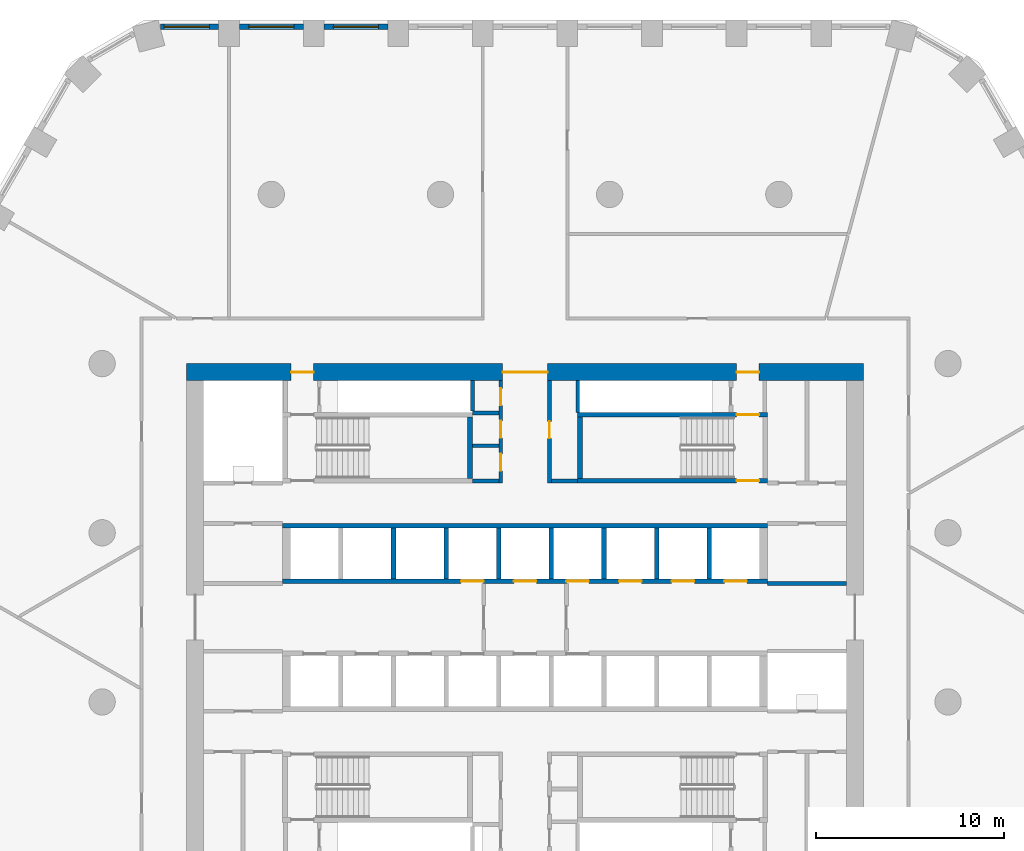
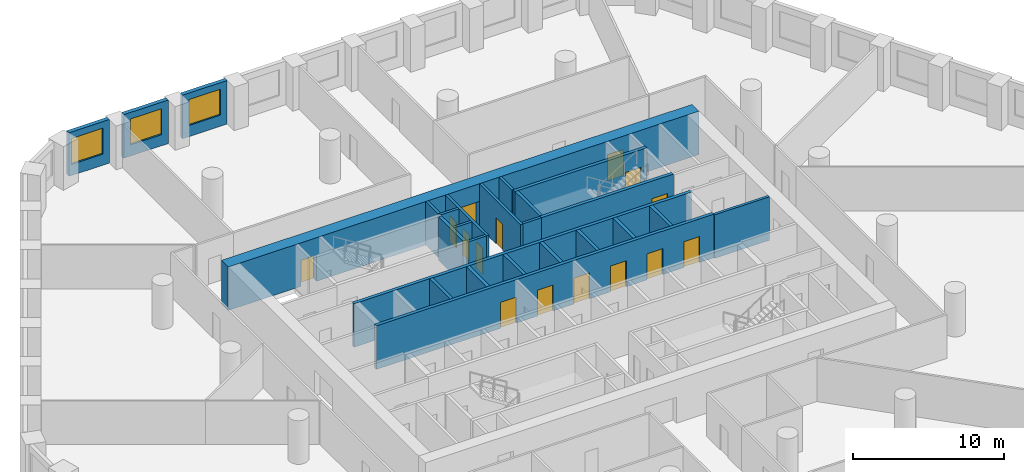
# One storey, part 6 of 10: 26 walls, 15 doors, 3 windows, 18 openings.
"""IFC4 building model written with IfcOpenShell, lengths in metres."""

from ifc_helpers import new_model, si_unit, direction, frame, frame_2d, origin, place, context, subcontext, project, spatial, polyline, rectangle, outline, extrude, material, layer, layer_set, type_object, element, fill, save


model = new_model("IFC4")

# Units and contexts
model_context = context("Model", 3, precision=1e-05, world=origin(), true_north=direction((0.0, 1.0)))
body_context = subcontext(model_context, "Body", "Model", "MODEL_VIEW")
ifc_project = project(units=[si_unit("LENGTHUNIT", "METRE"), si_unit("AREAUNIT", "SQUARE_METRE"), si_unit("VOLUMEUNIT", "CUBIC_METRE"), si_unit("PLANEANGLEUNIT", "RADIAN"), si_unit("MASSUNIT", "GRAM", prefix="KILO")], contexts=[model_context])

# Site, building, storey
site_placement = place(None, origin())
site = spatial("IfcSite", under=ifc_project, at=site_placement, CompositionType="ELEMENT")
building_placement = place(site_placement, origin())
building = spatial("IfcBuilding", under=site, at=building_placement, Name="Dhurran Vertical Campus", CompositionType="ELEMENT")
storey_placement = place(building_placement, frame((0.0, 0.0, 49.5)))
storey = spatial("IfcBuildingStorey", under=building, at=storey_placement, Name="L11", CompositionType="ELEMENT", Elevation=49.5)

# Wall, opening, window
ifc_material_1 = material(Name="Precast concrete C50/60", Category="concrete")
ifc_layer_1 = layer(ifc_material_1, 0.300048828125)
ifc_layer_set_1 = layer_set([ifc_layer_1], Name="Precast concrete C50/60")
wall_type_1 = type_object("IfcWallType", Name="Precast spandrel wall 300", PredefinedType="SOLIDWALL", material=ifc_layer_set_1)
wall_1_placement = place(storey_placement, frame((-7.300537109375, 31.4296875, 0.0), z_axis=(0.0, 0.0, 1.0), x_axis=(-1.0, 0.0, 0.0)))
wall_1 = element("IfcWall", 1, at=wall_1_placement, inside=storey, type_object=wall_type_1, Name="EW1 L11.32", PredefinedType="SOLIDWALL", context=body_context, shape_type="SweptSolid", body=[
    extrude(rectangle(XDim=3.39892578125, YDim=0.300048828125, at=frame_2d((1.699462890625, 0.0))), origin(), (0.0, 0.0, 1.0), 3.52490234375),
])
opening_1_placement = place(wall_1_placement, frame((0.49951171875, 0.0, 0.89990234375)))
opening_1 = element("IfcOpeningElement", 2, at=opening_1_placement, cuts=wall_1, Name="Opening WT1", PredefinedType="OPENING", context=body_context, shape_type="SweptSolid", body=[
    extrude(rectangle(XDim=2.39990234375, YDim=2.10009765625, at=frame_2d((1.199951171875, 1.050048828125))), frame((0.0, 0.159912109375, 0.0), z_axis=(0.0, -1.0, 0.0), x_axis=(1.0, 0.0, 0.0)), (0.0, 0.0, 1.0), 0.320068359375),
])
ifc_material_2 = material(Name="Aluminium frame with solar-control glass", Category="aluminium")
window_type = type_object("IfcWindowType", Name="Punched window 2400 x 2100", PartitioningType="SINGLE_PANEL", PredefinedType="WINDOW", material=ifc_material_2)
window_1_placement = place(opening_1_placement, origin())
window_1 = element("IfcWindow", 3, at=window_1_placement, inside=storey, type_object=window_type, Name="WT1 L11.32", OverallHeight=2.10009765625, OverallWidth=2.39990234375, PartitioningType="SINGLE_PANEL", PredefinedType="WINDOW", context=body_context, shape_type="SweptSolid", body=[
    extrude(rectangle(XDim=2.39990234375, YDim=2.10009765625, at=frame_2d((1.199951171875, 1.050048828125))), frame((0.0, 0.030029296875, 0.0), z_axis=(0.0, -1.0, 0.0), x_axis=(1.0, 0.0, 0.0)), (0.0, 0.0, 1.0), 0.06005859375),
])
fill(opening_1, window_1)

wall_2_placement = place(storey_placement, frame((-11.800537109375, 31.4296875, 0.0), z_axis=(0.0, 0.0, 1.0), x_axis=(-1.0, 0.0, 0.0)))
wall_2 = element("IfcWall", 4, at=wall_2_placement, inside=storey, type_object=wall_type_1, Name="EW1 L11.33", PredefinedType="SOLIDWALL", context=body_context, shape_type="SweptSolid", body=[
    extrude(rectangle(XDim=3.39892578125, YDim=0.300048828125, at=frame_2d((1.699462890625, 0.0))), origin(), (0.0, 0.0, 1.0), 3.52490234375),
])
opening_2_placement = place(wall_2_placement, frame((0.49951171875, 0.0, 0.89990234375)))
opening_2 = element("IfcOpeningElement", 5, at=opening_2_placement, cuts=wall_2, Name="Opening WT1", PredefinedType="OPENING", context=body_context, shape_type="SweptSolid", body=[
    extrude(rectangle(XDim=2.39990234375, YDim=2.10009765625, at=frame_2d((1.199951171875, 1.050048828125))), frame((0.0, 0.159912109375, 0.0), z_axis=(0.0, -1.0, 0.0), x_axis=(1.0, 0.0, 0.0)), (0.0, 0.0, 1.0), 0.320068359375),
])
window_2_placement = place(opening_2_placement, origin())
window_2 = element("IfcWindow", 6, at=window_2_placement, inside=storey, type_object=window_type, Name="WT1 L11.33", OverallHeight=2.10009765625, OverallWidth=2.39990234375, PartitioningType="SINGLE_PANEL", PredefinedType="WINDOW", context=body_context, shape_type="SweptSolid", body=[
    extrude(rectangle(XDim=2.39990234375, YDim=2.10009765625, at=frame_2d((1.199951171875, 1.050048828125))), frame((0.0, 0.030029296875, 0.0), z_axis=(0.0, -1.0, 0.0), x_axis=(1.0, 0.0, 0.0)), (0.0, 0.0, 1.0), 0.06005859375),
])
fill(opening_2, window_2)

wall_3_placement = place(storey_placement, frame((-16.300537109375, 31.4296875, 0.0), z_axis=(0.0, 0.0, 1.0), x_axis=(-1.0, 0.0, 0.0)))
wall_3 = element("IfcWall", 7, at=wall_3_placement, inside=storey, type_object=wall_type_1, Name="EW1 L11.34", PredefinedType="SOLIDWALL", context=body_context, shape_type="SweptSolid", body=[
    extrude(rectangle(XDim=3.090576171875, YDim=0.300048828125, at=frame_2d((1.54541015625, 0.0))), origin(), (0.0, 0.0, 1.0), 3.52490234375),
])
opening_3_placement = place(wall_3_placement, frame((0.49951171875, 0.0, 0.89990234375)))
opening_3 = element("IfcOpeningElement", 8, at=opening_3_placement, cuts=wall_3, Name="Opening WT1", PredefinedType="OPENING", context=body_context, shape_type="SweptSolid", body=[
    extrude(rectangle(XDim=2.39990234375, YDim=2.10009765625, at=frame_2d((1.199951171875, 1.050048828125))), frame((0.0, 0.159912109375, 0.0), z_axis=(0.0, -1.0, 0.0), x_axis=(1.0, 0.0, 0.0)), (0.0, 0.0, 1.0), 0.320068359375),
])
window_3_placement = place(opening_3_placement, origin())
window_3 = element("IfcWindow", 9, at=window_3_placement, inside=storey, type_object=window_type, Name="WT1 L11.34", OverallHeight=2.10009765625, OverallWidth=2.39990234375, PartitioningType="SINGLE_PANEL", PredefinedType="WINDOW", context=body_context, shape_type="SweptSolid", body=[
    extrude(rectangle(XDim=2.39990234375, YDim=2.10009765625, at=frame_2d((1.199951171875, 1.050048828125))), frame((0.0, 0.030029296875, 0.0), z_axis=(0.0, -1.0, 0.0), x_axis=(1.0, 0.0, 0.0)), (0.0, 0.0, 1.0), 0.06005859375),
])
fill(opening_3, window_3)

# Wall, openings, doors
ifc_material_3 = material(Name="Concrete C60/75", Category="concrete")
ifc_layer_2 = layer(ifc_material_3, 0.89990234375)
ifc_layer_set_2 = layer_set([ifc_layer_2], Name="Concrete C60/75")
wall_type_2 = type_object("IfcWallType", Name="co-CORE-WALL-C0-900", PredefinedType="SHEAR", material=ifc_layer_set_2)
wall_4_placement = place(storey_placement, frame((-18.0, 13.050048828125, 0.0), z_axis=(0.0, 0.0, 1.0), x_axis=(1.0, 0.0, 0.0)))
wall_4 = element("IfcWall", 10, at=wall_4_placement, inside=storey, type_object=wall_type_2, Name="Core wall N L11", PredefinedType="SHEAR", context=body_context, shape_type="SweptSolid", body=[
    extrude(rectangle(XDim=36.0, YDim=0.89990234375, at=frame_2d((18.0, 0.0))), origin(), (0.0, 0.0, 1.0), 3.52490234375),
])
opening_4_placement = place(wall_4_placement, frame((16.800048828125, 0.0, 0.0)))
opening_4 = element("IfcOpeningElement", 11, at=opening_4_placement, cuts=wall_4, Name="Opening CV1", PredefinedType="OPENING", context=body_context, shape_type="SweptSolid", body=[
    extrude(rectangle(XDim=2.39990234375, YDim=2.10009765625, at=frame_2d((1.199951171875, 1.050048828125))), frame((0.0, 0.4599609375, 0.0), z_axis=(0.0, -1.0, 0.0), x_axis=(1.0, 0.0, 0.0)), (0.0, 0.0, 1.0), 0.919921875),
])
opening_5_placement = place(wall_4_placement, frame((5.550048828125, 0.0, 0.0)))
opening_5 = element("IfcOpeningElement", 12, at=opening_5_placement, cuts=wall_4, Name="Opening XD1", PredefinedType="OPENING", context=body_context, shape_type="SweptSolid", body=[
    extrude(rectangle(XDim=1.199951171875, YDim=2.10009765625, at=frame_2d((0.60009765625, 1.050048828125))), frame((0.0, 0.4599609375, 0.0), z_axis=(0.0, -1.0, 0.0), x_axis=(1.0, 0.0, 0.0)), (0.0, 0.0, 1.0), 0.919921875),
])
opening_6_placement = place(wall_4_placement, frame((29.25, 0.0, 0.0)))
opening_6 = element("IfcOpeningElement", 13, at=opening_6_placement, cuts=wall_4, Name="Opening XD2", PredefinedType="OPENING", context=body_context, shape_type="SweptSolid", body=[
    extrude(rectangle(XDim=1.199951171875, YDim=2.10009765625, at=frame_2d((0.60009765625, 1.050048828125))), frame((0.0, 0.4599609375, 0.0), z_axis=(0.0, -1.0, 0.0), x_axis=(1.0, 0.0, 0.0)), (0.0, 0.0, 1.0), 0.919921875),
])
ifc_material_4 = material(Name="Fire-rated glazed door set")
door_type_1 = type_object("IfcDoorType", Name="co-D-LOBBY 2400x2100", OperationType="DOUBLE_DOOR_DOUBLE_SWING", PredefinedType="DOOR", material=ifc_material_4)
door_1_placement = place(opening_4_placement, origin())
door_1 = element("IfcDoor", 14, at=door_1_placement, inside=storey, type_object=door_type_1, Name="Core vestibule door N L11", OperationType="DOUBLE_DOOR_DOUBLE_SWING", OverallHeight=2.10009765625, OverallWidth=2.39990234375, PredefinedType="DOOR", context=body_context, shape_type="SweptSolid", body=[
    extrude(rectangle(XDim=2.39990234375, YDim=2.10009765625, at=frame_2d((1.199951171875, 1.050048828125))), frame((0.0, 0.02490234375, 0.0), z_axis=(0.0, -1.0, 0.0), x_axis=(1.0, 0.0, 0.0)), (0.0, 0.0, 1.0), 0.050048828125),
])
fill(opening_4, door_1)
ifc_material_5 = material(Name="Fire-rated steel door set", Category="steel")
door_type_2 = type_object("IfcDoorType", Name="co-D-STAIR-EXIT 1200x2100", OperationType="SINGLE_SWING_RIGHT", PredefinedType="DOOR", material=ifc_material_5)
door_2_placement = place(opening_5_placement, origin())
door_2 = element("IfcDoor", 15, at=door_2_placement, inside=storey, type_object=door_type_2, Name="Stair ST1 exit door L11", OperationType="SINGLE_SWING_RIGHT", OverallHeight=2.10009765625, OverallWidth=1.199951171875, PredefinedType="DOOR", context=body_context, shape_type="SweptSolid", body=[
    extrude(rectangle(XDim=1.199951171875, YDim=2.10009765625, at=frame_2d((0.60009765625, 1.050048828125))), frame((0.0, 0.02490234375, 0.0), z_axis=(0.0, -1.0, 0.0), x_axis=(1.0, 0.0, 0.0)), (0.0, 0.0, 1.0), 0.050048828125),
])
fill(opening_5, door_2)
door_3_placement = place(opening_6_placement, origin())
door_3 = element("IfcDoor", 16, at=door_3_placement, inside=storey, type_object=door_type_2, Name="Stair ST2 exit door L11", OperationType="SINGLE_SWING_RIGHT", OverallHeight=2.10009765625, OverallWidth=1.199951171875, PredefinedType="DOOR", context=body_context, shape_type="SweptSolid", body=[
    extrude(rectangle(XDim=1.199951171875, YDim=2.10009765625, at=frame_2d((0.60009765625, 1.050048828125))), frame((0.0, 0.02490234375, 0.0), z_axis=(0.0, -1.0, 0.0), x_axis=(1.0, 0.0, 0.0)), (0.0, 0.0, 1.0), 0.050048828125),
])
fill(opening_6, door_3)

# Walls
ifc_material_6 = material(Name="Fire-rated masonry blockwork", Category="masonry")
ifc_layer_3 = layer(ifc_material_6, 0.199951171875)
ifc_layer_set_3 = layer_set([ifc_layer_3], Name="Fire-rated masonry blockwork")
wall_type_3 = type_object("IfcWallType", Name="co-FIRE-PARTITION-200", PredefinedType="PARTITIONING", material=ifc_layer_set_3)
for number, where, z_axis, x_axis, name in (
    (17, (-2.800048828125, 7.25, 0.0), (0.0, 0.0, 1.0), (1.0, 0.0, 0.0), "Core partition sl-NW-S L11"),
    (18, (-2.800048828125, 9.135009765625, 0.0), (0.0, 0.0, 1.0), (1.0, 0.0, 0.0), "Core partition sl-NW-cut0 L11"),
    (19, (-2.800048828125, 10.867431640625, 0.0), (0.0, 0.0, 1.0), (1.0, 0.0, 0.0), "Core partition sl-NW-cut1 L11"),
    (20, (1.39990234375, 7.25, 0.0), (0.0, 0.0, 1.0), (1.0, 0.0, 0.0), "Core partition sl-NE-S L11"),
):
    element("IfcWall", number, at=place(storey_placement, frame(where, z_axis=z_axis, x_axis=x_axis)), inside=storey, type_object=wall_type_3, Name=name, PredefinedType="PARTITIONING", context=body_context, shape_type="SweptSolid", body=[
        extrude(rectangle(XDim=1.400146484375, YDim=0.199951171875, at=frame_2d((0.7001953125, 0.0))), origin(), (0.0, 0.0, 1.0), 3.52490234375),
    ])

# Wall, openings, doors
wall_5_placement = place(storey_placement, frame((-1.300048828125, 7.14990234375, 0.0), z_axis=(0.0, 0.0, 1.0), x_axis=(0.0, 1.0, 0.0)))
wall_5 = element("IfcWall", 21, at=wall_5_placement, inside=storey, type_object=wall_type_3, Name="Core partition vest-NW L11", PredefinedType="PARTITIONING", context=body_context, shape_type="SweptSolid", body=[
    extrude(rectangle(XDim=5.4501953125, YDim=0.199951171875, at=frame_2d((2.72509765625, 0.0))), origin(), (0.0, 0.0, 1.0), 3.52490234375),
])
opening_7_placement = place(wall_5_placement, frame((0.642578125, 0.0, 0.0)))
opening_7 = element("IfcOpeningElement", 22, at=opening_7_placement, cuts=wall_5, Name="Opening T02-C6", PredefinedType="OPENING", context=body_context, shape_type="SweptSolid", body=[
    extrude(rectangle(XDim=0.89990234375, YDim=2.10009765625, at=frame_2d((0.449951171875, 1.050048828125))), frame((0.0, 0.10986328125, 0.0), z_axis=(0.0, -1.0, 0.0), x_axis=(1.0, 0.0, 0.0)), (0.0, 0.0, 1.0), 0.219970703125),
])
opening_8_placement = place(wall_5_placement, frame((2.401123046875, 0.0, 0.0)))
opening_8 = element("IfcOpeningElement", 23, at=opening_8_placement, cuts=wall_5, Name="Opening T02-C7", PredefinedType="OPENING", context=body_context, shape_type="SweptSolid", body=[
    extrude(rectangle(XDim=0.89990234375, YDim=2.10009765625, at=frame_2d((0.449951171875, 1.050048828125))), frame((0.0, 0.10986328125, 0.0), z_axis=(0.0, -1.0, 0.0), x_axis=(1.0, 0.0, 0.0)), (0.0, 0.0, 1.0), 0.219970703125),
])
opening_9_placement = place(wall_5_placement, frame((4.1337890625, 0.0, 0.0)))
opening_9 = element("IfcOpeningElement", 24, at=opening_9_placement, cuts=wall_5, Name="Opening T02-C8", PredefinedType="OPENING", context=body_context, shape_type="SweptSolid", body=[
    extrude(rectangle(XDim=0.89990234375, YDim=2.10009765625, at=frame_2d((0.449951171875, 1.050048828125))), frame((0.0, 0.10986328125, 0.0), z_axis=(0.0, -1.0, 0.0), x_axis=(1.0, 0.0, 0.0)), (0.0, 0.0, 1.0), 0.219970703125),
])
ifc_material_7 = material(Name="Fire-rated timber door set", Category="wood")
door_type_3 = type_object("IfcDoorType", Name="co-D-ROOM 900x2100", OperationType="SINGLE_SWING_LEFT", PredefinedType="DOOR", material=ifc_material_7)
door_4_placement = place(opening_7_placement, origin())
door_4 = element("IfcDoor", 25, at=door_4_placement, inside=storey, type_object=door_type_3, Name="Waste room door L11", OperationType="SINGLE_SWING_LEFT", OverallHeight=2.10009765625, OverallWidth=0.89990234375, PredefinedType="DOOR", context=body_context, shape_type="SweptSolid", body=[
    extrude(rectangle(XDim=0.89990234375, YDim=2.10009765625, at=frame_2d((0.449951171875, 1.050048828125))), frame((0.0, 0.02490234375, 0.0), z_axis=(0.0, -1.0, 0.0), x_axis=(1.0, 0.0, 0.0)), (0.0, 0.0, 1.0), 0.050048828125),
])
fill(opening_7, door_4)
door_5_placement = place(opening_8_placement, origin())
door_5 = element("IfcDoor", 26, at=door_5_placement, inside=storey, type_object=door_type_3, Name="Pantry door L11", OperationType="SINGLE_SWING_LEFT", OverallHeight=2.10009765625, OverallWidth=0.89990234375, PredefinedType="DOOR", context=body_context, shape_type="SweptSolid", body=[
    extrude(rectangle(XDim=0.89990234375, YDim=2.10009765625, at=frame_2d((0.449951171875, 1.050048828125))), frame((0.0, 0.02490234375, 0.0), z_axis=(0.0, -1.0, 0.0), x_axis=(1.0, 0.0, 0.0)), (0.0, 0.0, 1.0), 0.050048828125),
])
fill(opening_8, door_5)
door_6_placement = place(opening_9_placement, origin())
door_6 = element("IfcDoor", 27, at=door_6_placement, inside=storey, type_object=door_type_3, Name="Cleaner's store door L11", OperationType="SINGLE_SWING_LEFT", OverallHeight=2.10009765625, OverallWidth=0.89990234375, PredefinedType="DOOR", context=body_context, shape_type="SweptSolid", body=[
    extrude(rectangle(XDim=0.89990234375, YDim=2.10009765625, at=frame_2d((0.449951171875, 1.050048828125))), frame((0.0, 0.02490234375, 0.0), z_axis=(0.0, -1.0, 0.0), x_axis=(1.0, 0.0, 0.0)), (0.0, 0.0, 1.0), 0.050048828125),
])
fill(opening_9, door_6)

# Wall, opening, door
wall_6_placement = place(storey_placement, frame((1.300048828125, 7.14990234375, 0.0), z_axis=(0.0, 0.0, 1.0), x_axis=(0.0, 1.0, 0.0)))
wall_6 = element("IfcWall", 28, at=wall_6_placement, inside=storey, type_object=wall_type_3, Name="Core partition vest-NE L11", PredefinedType="PARTITIONING", context=body_context, shape_type="SweptSolid", body=[
    extrude(rectangle(XDim=5.4501953125, YDim=0.199951171875, at=frame_2d((2.72509765625, 0.0))), origin(), (0.0, 0.0, 1.0), 3.52490234375),
])
opening_10_placement = place(wall_6_placement, frame((2.375, 0.0, 0.0)))
opening_10 = element("IfcOpeningElement", 29, at=opening_10_placement, cuts=wall_6, Name="Opening T02-C9", PredefinedType="OPENING", context=body_context, shape_type="SweptSolid", body=[
    extrude(rectangle(XDim=0.89990234375, YDim=2.10009765625, at=frame_2d((0.449951171875, 1.050048828125))), frame((0.0, 0.10986328125, 0.0), z_axis=(0.0, -1.0, 0.0), x_axis=(1.0, 0.0, 0.0)), (0.0, 0.0, 1.0), 0.219970703125),
])
door_7_placement = place(opening_10_placement, origin())
door_7 = element("IfcDoor", 30, at=door_7_placement, inside=storey, type_object=door_type_3, Name="Fire equipment store door L11", OperationType="SINGLE_SWING_LEFT", OverallHeight=2.10009765625, OverallWidth=0.89990234375, PredefinedType="DOOR", context=body_context, shape_type="SweptSolid", body=[
    extrude(rectangle(XDim=0.89990234375, YDim=2.10009765625, at=frame_2d((0.449951171875, 1.050048828125))), frame((0.0, 0.02490234375, 0.0), z_axis=(0.0, -1.0, 0.0), x_axis=(1.0, 0.0, 0.0)), (0.0, 0.0, 1.0), 0.050048828125),
])
fill(opening_10, door_7)

# Walls
wall_7_placement = place(storey_placement, frame((12.89990234375, 1.800048828125, 0.0), z_axis=(0.0, 0.0, 1.0), x_axis=(1.0, 0.0, 0.0)))
element("IfcWall", 31, at=wall_7_placement, inside=storey, type_object=wall_type_3, Name="Core partition es-NE-l L11", PredefinedType="PARTITIONING", context=body_context, shape_type="SweptSolid", body=[
    extrude(rectangle(XDim=4.2001953125, YDim=0.199951171875, at=frame_2d((2.10009765625, 0.0))), origin(), (0.0, 0.0, 1.0), 3.52490234375),
])
wall_8_placement = place(storey_placement, frame((-2.800048828125, 10.968505859375, 0.0), z_axis=(0.0, 0.0, 1.0), x_axis=(0.0, 1.0, 0.0)))
element("IfcWall", 32, at=wall_8_placement, inside=storey, type_object=wall_type_3, Name="Riser enclosure wall L11", PredefinedType="PARTITIONING", context=body_context, shape_type="SweptSolid", body=[
    extrude(rectangle(XDim=1.630615234375, YDim=0.199951171875, at=frame_2d((0.8154296875, 0.0))), origin(), (0.0, 0.0, 1.0), 3.52490234375),
])
wall_9_placement = place(storey_placement, frame((2.800048828125, 12.59912109375, 0.0), z_axis=(0.0, 0.0, 1.0), x_axis=(0.0, -1.0, 0.0)))
element("IfcWall", 33, at=wall_9_placement, inside=storey, type_object=wall_type_3, Name="Riser enclosure wall L11", PredefinedType="PARTITIONING", context=body_context, shape_type="SweptSolid", body=[
    extrude(rectangle(XDim=1.6982421875, YDim=0.199951171875, at=frame_2d((0.84912109375, 0.0))), origin(), (0.0, 0.0, 1.0), 3.52490234375),
])

# Wall, openings, doors
ifc_material_8 = material(Name="Concrete C50/60", Category="concrete")
ifc_layer_4 = layer(ifc_material_8, 0.25)
ifc_layer_set_4 = layer_set([ifc_layer_4], Name="Concrete C50/60")
wall_type_4 = type_object("IfcWallType", Name="co-SHAFT-FRONT-250", PredefinedType="SHEAR", material=ifc_layer_set_4)
wall_10_placement = place(storey_placement, frame((-12.89990234375, 1.925048828125, 0.0), z_axis=(0.0, 0.0, 1.0), x_axis=(1.0, 0.0, 0.0)))
wall_10 = element("IfcWall", 34, at=wall_10_placement, inside=storey, type_object=wall_type_4, Name="Lift landing wall N L11", PredefinedType="SHEAR", context=body_context, shape_type="SweptSolid", body=[
    extrude(rectangle(XDim=25.7998046875, YDim=0.25, at=frame_2d((12.89990234375, 0.0))), origin(), (0.0, 0.0, 1.0), 3.52490234375),
])
opening_11_placement = place(wall_10_placement, frame((9.5, 0.0, 0.0)))
opening_11 = element("IfcOpeningElement", 35, at=opening_11_placement, cuts=wall_10, Name="Opening LD", PredefinedType="OPENING", context=body_context, shape_type="SweptSolid", body=[
    extrude(rectangle(XDim=1.199951171875, YDim=2.10009765625, at=frame_2d((0.60009765625, 1.050048828125))), frame((0.0, 0.135009765625, 0.0), z_axis=(0.0, -1.0, 0.0), x_axis=(1.0, 0.0, 0.0)), (0.0, 0.0, 1.0), 0.27001953125),
])
opening_12_placement = place(wall_10_placement, frame((12.300048828125, 0.0, 0.0)))
opening_12 = element("IfcOpeningElement", 36, at=opening_12_placement, cuts=wall_10, Name="Opening LD", PredefinedType="OPENING", context=body_context, shape_type="SweptSolid", body=[
    extrude(rectangle(XDim=1.199951171875, YDim=2.10009765625, at=frame_2d((0.60009765625, 1.050048828125))), frame((0.0, 0.135009765625, 0.0), z_axis=(0.0, -1.0, 0.0), x_axis=(1.0, 0.0, 0.0)), (0.0, 0.0, 1.0), 0.27001953125),
])
opening_13_placement = place(wall_10_placement, frame((15.10009765625, 0.0, 0.0)))
opening_13 = element("IfcOpeningElement", 37, at=opening_13_placement, cuts=wall_10, Name="Opening LD", PredefinedType="OPENING", context=body_context, shape_type="SweptSolid", body=[
    extrude(rectangle(XDim=1.199951171875, YDim=2.10009765625, at=frame_2d((0.60009765625, 1.050048828125))), frame((0.0, 0.135009765625, 0.0), z_axis=(0.0, -1.0, 0.0), x_axis=(1.0, 0.0, 0.0)), (0.0, 0.0, 1.0), 0.27001953125),
])
opening_14_placement = place(wall_10_placement, frame((17.89990234375, 0.0, 0.0)))
opening_14 = element("IfcOpeningElement", 38, at=opening_14_placement, cuts=wall_10, Name="Opening LD", PredefinedType="OPENING", context=body_context, shape_type="SweptSolid", body=[
    extrude(rectangle(XDim=1.199951171875, YDim=2.10009765625, at=frame_2d((0.60009765625, 1.050048828125))), frame((0.0, 0.135009765625, 0.0), z_axis=(0.0, -1.0, 0.0), x_axis=(1.0, 0.0, 0.0)), (0.0, 0.0, 1.0), 0.27001953125),
])
opening_15_placement = place(wall_10_placement, frame((20.699951171875, 0.0, 0.0)))
opening_15 = element("IfcOpeningElement", 39, at=opening_15_placement, cuts=wall_10, Name="Opening LD", PredefinedType="OPENING", context=body_context, shape_type="SweptSolid", body=[
    extrude(rectangle(XDim=1.199951171875, YDim=2.10009765625, at=frame_2d((0.60009765625, 1.050048828125))), frame((0.0, 0.135009765625, 0.0), z_axis=(0.0, -1.0, 0.0), x_axis=(1.0, 0.0, 0.0)), (0.0, 0.0, 1.0), 0.27001953125),
])
opening_16_placement = place(wall_10_placement, frame((23.5, 0.0, 0.0)))
opening_16 = element("IfcOpeningElement", 40, at=opening_16_placement, cuts=wall_10, Name="Opening LD", PredefinedType="OPENING", context=body_context, shape_type="SweptSolid", body=[
    extrude(rectangle(XDim=1.199951171875, YDim=2.10009765625, at=frame_2d((0.60009765625, 1.050048828125))), frame((0.0, 0.135009765625, 0.0), z_axis=(0.0, -1.0, 0.0), x_axis=(1.0, 0.0, 0.0)), (0.0, 0.0, 1.0), 0.27001953125),
])
ifc_material_9 = material(Name="Stainless steel landing door", Category="steel")
door_type_4 = type_object("IfcDoorType", Name="co-D-LANDING 1200x2100", OperationType="DOUBLE_DOOR_SLIDING", PredefinedType="DOOR", material=ifc_material_9)
door_8_placement = place(opening_11_placement, origin())
door_8 = element("IfcDoor", 41, at=door_8_placement, inside=storey, type_object=door_type_4, Name="Landing door LR1 L11", OperationType="DOUBLE_DOOR_SLIDING", OverallHeight=2.10009765625, OverallWidth=1.199951171875, PredefinedType="DOOR", context=body_context, shape_type="SweptSolid", body=[
    extrude(rectangle(XDim=1.199951171875, YDim=2.10009765625, at=frame_2d((0.60009765625, 1.050048828125))), frame((0.0, 0.02490234375, 0.0), z_axis=(0.0, -1.0, 0.0), x_axis=(1.0, 0.0, 0.0)), (0.0, 0.0, 1.0), 0.050048828125),
])
fill(opening_11, door_8)
door_9_placement = place(opening_12_placement, origin())
door_9 = element("IfcDoor", 42, at=door_9_placement, inside=storey, type_object=door_type_4, Name="Landing door FF1 L11", OperationType="DOUBLE_DOOR_SLIDING", OverallHeight=2.10009765625, OverallWidth=1.199951171875, PredefinedType="DOOR", context=body_context, shape_type="SweptSolid", body=[
    extrude(rectangle(XDim=1.199951171875, YDim=2.10009765625, at=frame_2d((0.60009765625, 1.050048828125))), frame((0.0, 0.02490234375, 0.0), z_axis=(0.0, -1.0, 0.0), x_axis=(1.0, 0.0, 0.0)), (0.0, 0.0, 1.0), 0.050048828125),
])
fill(opening_12, door_9)
door_10_placement = place(opening_13_placement, origin())
door_10 = element("IfcDoor", 43, at=door_10_placement, inside=storey, type_object=door_type_4, Name="Landing door LR2 L11", OperationType="DOUBLE_DOOR_SLIDING", OverallHeight=2.10009765625, OverallWidth=1.199951171875, PredefinedType="DOOR", context=body_context, shape_type="SweptSolid", body=[
    extrude(rectangle(XDim=1.199951171875, YDim=2.10009765625, at=frame_2d((0.60009765625, 1.050048828125))), frame((0.0, 0.02490234375, 0.0), z_axis=(0.0, -1.0, 0.0), x_axis=(1.0, 0.0, 0.0)), (0.0, 0.0, 1.0), 0.050048828125),
])
fill(opening_13, door_10)
door_11_placement = place(opening_14_placement, origin())
door_11 = element("IfcDoor", 44, at=door_11_placement, inside=storey, type_object=door_type_4, Name="Landing door LR3 L11", OperationType="DOUBLE_DOOR_SLIDING", OverallHeight=2.10009765625, OverallWidth=1.199951171875, PredefinedType="DOOR", context=body_context, shape_type="SweptSolid", body=[
    extrude(rectangle(XDim=1.199951171875, YDim=2.10009765625, at=frame_2d((0.60009765625, 1.050048828125))), frame((0.0, 0.02490234375, 0.0), z_axis=(0.0, -1.0, 0.0), x_axis=(1.0, 0.0, 0.0)), (0.0, 0.0, 1.0), 0.050048828125),
])
fill(opening_14, door_11)
door_12_placement = place(opening_15_placement, origin())
door_12 = element("IfcDoor", 45, at=door_12_placement, inside=storey, type_object=door_type_4, Name="Landing door LR4 L11", OperationType="DOUBLE_DOOR_SLIDING", OverallHeight=2.10009765625, OverallWidth=1.199951171875, PredefinedType="DOOR", context=body_context, shape_type="SweptSolid", body=[
    extrude(rectangle(XDim=1.199951171875, YDim=2.10009765625, at=frame_2d((0.60009765625, 1.050048828125))), frame((0.0, 0.02490234375, 0.0), z_axis=(0.0, -1.0, 0.0), x_axis=(1.0, 0.0, 0.0)), (0.0, 0.0, 1.0), 0.050048828125),
])
fill(opening_15, door_12)
door_13_placement = place(opening_16_placement, origin())
door_13 = element("IfcDoor", 46, at=door_13_placement, inside=storey, type_object=door_type_4, Name="Landing door SV2 L11", OperationType="DOUBLE_DOOR_SLIDING", OverallHeight=2.10009765625, OverallWidth=1.199951171875, PredefinedType="DOOR", context=body_context, shape_type="SweptSolid", body=[
    extrude(rectangle(XDim=1.199951171875, YDim=2.10009765625, at=frame_2d((0.60009765625, 1.050048828125))), frame((0.0, 0.02490234375, 0.0), z_axis=(0.0, -1.0, 0.0), x_axis=(1.0, 0.0, 0.0)), (0.0, 0.0, 1.0), 0.050048828125),
])
fill(opening_16, door_13)

# Walls
ifc_material_10 = material(Name="Concrete C50/60", Category="concrete")
ifc_layer_5 = layer(ifc_material_10, 0.25)
ifc_layer_set_5 = layer_set([ifc_layer_5], Name="Concrete C50/60")
wall_type_5 = type_object("IfcWallType", Name="co-SHAFT-MASS-250", PredefinedType="SHEAR", material=ifc_layer_set_5)
wall_11_placement = place(storey_placement, origin())
element("IfcWall", 47, at=wall_11_placement, inside=storey, type_object=wall_type_5, Name="Lift shaft wall N L11 1", PredefinedType="SHEAR", context=body_context, shape_type="SweptSolid", body=[
    extrude(outline(polyline([(-12.89990234375, 4.75), (12.89990234375, 4.75), (12.89990234375, 5.0), (-12.89990234375, 5.0), (-12.89990234375, 4.75)])), origin(), (0.0, 0.0, 1.0), 3.52490234375),
])
wall_12_placement = place(storey_placement, origin())
element("IfcWall", 48, at=wall_12_placement, inside=storey, type_object=wall_type_5, Name="Lift shaft wall N L11 4", PredefinedType="SHEAR", context=body_context, shape_type="SweptSolid", body=[
    extrude(outline(polyline([(-7.125, 2.050048828125), (-6.875, 2.050048828125), (-6.875, 4.75), (-7.125, 4.75), (-7.125, 2.050048828125)])), origin(), (0.0, 0.0, 1.0), 3.52490234375),
])
wall_13_placement = place(storey_placement, origin())
element("IfcWall", 49, at=wall_13_placement, inside=storey, type_object=wall_type_5, Name="Lift shaft wall N L11 5", PredefinedType="SHEAR", context=body_context, shape_type="SweptSolid", body=[
    extrude(outline(polyline([(-4.324951171875, 2.050048828125), (-4.074951171875, 2.050048828125), (-4.074951171875, 4.75), (-4.324951171875, 4.75), (-4.324951171875, 2.050048828125)])), origin(), (0.0, 0.0, 1.0), 3.52490234375),
])
wall_14_placement = place(storey_placement, origin())
element("IfcWall", 50, at=wall_14_placement, inside=storey, type_object=wall_type_5, Name="Lift shaft wall N L11 6", PredefinedType="SHEAR", context=body_context, shape_type="SweptSolid", body=[
    extrude(outline(polyline([(-1.52490234375, 2.050048828125), (-1.27490234375, 2.050048828125), (-1.27490234375, 4.75), (-1.52490234375, 4.75), (-1.52490234375, 2.050048828125)])), origin(), (0.0, 0.0, 1.0), 3.52490234375),
])
wall_15_placement = place(storey_placement, origin())
element("IfcWall", 51, at=wall_15_placement, inside=storey, type_object=wall_type_5, Name="Lift shaft wall N L11 7", PredefinedType="SHEAR", context=body_context, shape_type="SweptSolid", body=[
    extrude(outline(polyline([(1.27490234375, 2.050048828125), (1.52490234375, 2.050048828125), (1.52490234375, 4.75), (1.27490234375, 4.75), (1.27490234375, 2.050048828125)])), origin(), (0.0, 0.0, 1.0), 3.52490234375),
])
wall_16_placement = place(storey_placement, origin())
element("IfcWall", 52, at=wall_16_placement, inside=storey, type_object=wall_type_5, Name="Lift shaft wall N L11 8", PredefinedType="SHEAR", context=body_context, shape_type="SweptSolid", body=[
    extrude(outline(polyline([(4.074951171875, 2.050048828125), (4.324951171875, 2.050048828125), (4.324951171875, 4.75), (4.074951171875, 4.75), (4.074951171875, 2.050048828125)])), origin(), (0.0, 0.0, 1.0), 3.52490234375),
])
wall_17_placement = place(storey_placement, origin())
element("IfcWall", 53, at=wall_17_placement, inside=storey, type_object=wall_type_5, Name="Lift shaft wall N L11 9", PredefinedType="SHEAR", context=body_context, shape_type="SweptSolid", body=[
    extrude(outline(polyline([(6.875, 2.050048828125), (7.125, 2.050048828125), (7.125, 4.75), (6.875, 4.75), (6.875, 2.050048828125)])), origin(), (0.0, 0.0, 1.0), 3.52490234375),
])
wall_18_placement = place(storey_placement, origin())
element("IfcWall", 54, at=wall_18_placement, inside=storey, type_object=wall_type_5, Name="Lift shaft wall N L11 10", PredefinedType="SHEAR", context=body_context, shape_type="SweptSolid", body=[
    extrude(outline(polyline([(9.675048828125, 2.050048828125), (9.925048828125, 2.050048828125), (9.925048828125, 4.75), (9.675048828125, 4.75), (9.675048828125, 2.050048828125)])), origin(), (0.0, 0.0, 1.0), 3.52490234375),
])
ifc_material_11 = material(Name="Concrete C40/50", Category="concrete")
ifc_layer_6 = layer(ifc_material_11, 0.25)
ifc_layer_set_6 = layer_set([ifc_layer_6], Name="Concrete C40/50")
wall_type_6 = type_object("IfcWallType", Name="co-STAIR-WALL-250", PredefinedType="SHEAR", material=ifc_layer_set_6)
wall_19_placement = place(storey_placement, frame((-2.925048828125, 7.39990234375, 0.0), z_axis=(0.0, 0.0, 1.0), x_axis=(0.0, 1.0, 0.0)))
element("IfcWall", 55, at=wall_19_placement, inside=storey, type_object=wall_type_6, Name="Stair ST1 enclosure wall L11", PredefinedType="SHEAR", context=body_context, shape_type="SweptSolid", body=[
    extrude(rectangle(XDim=3.25, YDim=0.25, at=frame_2d((1.625, 0.0))), origin(), (0.0, 0.0, 1.0), 3.52490234375),
])

# Wall, opening, door
wall_20_placement = place(storey_placement, frame((2.800048828125, 7.27490234375, 0.0), z_axis=(0.0, 0.0, 1.0), x_axis=(1.0, 0.0, 0.0)))
wall_20 = element("IfcWall", 56, at=wall_20_placement, inside=storey, type_object=wall_type_6, Name="Stair ST2 enclosure wall L11", PredefinedType="SHEAR", context=body_context, shape_type="SweptSolid", body=[
    extrude(rectangle(XDim=10.099853515625, YDim=0.25, at=frame_2d((5.0498046875, 0.0))), origin(), (0.0, 0.0, 1.0), 3.52490234375),
])
opening_17_placement = place(wall_20_placement, frame((8.449951171875, 0.0, 0.0)))
opening_17 = element("IfcOpeningElement", 57, at=opening_17_placement, cuts=wall_20, Name="Opening SD2", PredefinedType="OPENING", context=body_context, shape_type="SweptSolid", body=[
    extrude(rectangle(XDim=1.199951171875, YDim=2.10009765625, at=frame_2d((0.60009765625, 1.050048828125))), frame((0.0, 0.135009765625, 0.0), z_axis=(0.0, -1.0, 0.0), x_axis=(1.0, 0.0, 0.0)), (0.0, 0.0, 1.0), 0.27001953125),
])
ifc_material_12 = material(Name="Fire-rated steel door set", Category="steel")
door_type_5 = type_object("IfcDoorType", Name="co-D-STAIR 1200x2100", OperationType="SINGLE_SWING_LEFT", PredefinedType="DOOR", material=ifc_material_12)
door_14_placement = place(opening_17_placement, origin())
door_14 = element("IfcDoor", 58, at=door_14_placement, inside=storey, type_object=door_type_5, Name="Stair ST2 door L11", OperationType="SINGLE_SWING_LEFT", OverallHeight=2.10009765625, OverallWidth=1.199951171875, PredefinedType="DOOR", context=body_context, shape_type="SweptSolid", body=[
    extrude(rectangle(XDim=1.199951171875, YDim=2.10009765625, at=frame_2d((0.60009765625, 1.050048828125))), frame((0.0, 0.02490234375, 0.0), z_axis=(0.0, -1.0, 0.0), x_axis=(1.0, 0.0, 0.0)), (0.0, 0.0, 1.0), 0.050048828125),
])
fill(opening_17, door_14)

wall_21_placement = place(storey_placement, frame((2.800048828125, 10.77490234375, 0.0), z_axis=(0.0, 0.0, 1.0), x_axis=(1.0, 0.0, 0.0)))
wall_21 = element("IfcWall", 59, at=wall_21_placement, inside=storey, type_object=wall_type_6, Name="Stair ST2 enclosure wall L11", PredefinedType="SHEAR", context=body_context, shape_type="SweptSolid", body=[
    extrude(rectangle(XDim=10.099853515625, YDim=0.25, at=frame_2d((5.0498046875, 0.0))), origin(), (0.0, 0.0, 1.0), 3.52490234375),
])
opening_18_placement = place(wall_21_placement, frame((8.449951171875, 0.0, 0.0)))
opening_18 = element("IfcOpeningElement", 60, at=opening_18_placement, cuts=wall_21, Name="Opening XS2", PredefinedType="OPENING", context=body_context, shape_type="SweptSolid", body=[
    extrude(rectangle(XDim=1.199951171875, YDim=2.10009765625, at=frame_2d((0.60009765625, 1.050048828125))), frame((0.0, 0.135009765625, 0.0), z_axis=(0.0, -1.0, 0.0), x_axis=(1.0, 0.0, 0.0)), (0.0, 0.0, 1.0), 0.27001953125),
])
door_15_placement = place(opening_18_placement, origin())
door_15 = element("IfcDoor", 61, at=door_15_placement, inside=storey, type_object=door_type_2, Name="Stair ST2 discharge door L11", OperationType="SINGLE_SWING_RIGHT", OverallHeight=2.10009765625, OverallWidth=1.199951171875, PredefinedType="DOOR", context=body_context, shape_type="SweptSolid", body=[
    extrude(rectangle(XDim=1.199951171875, YDim=2.10009765625, at=frame_2d((0.60009765625, 1.050048828125))), frame((0.0, 0.02490234375, 0.0), z_axis=(0.0, -1.0, 0.0), x_axis=(1.0, 0.0, 0.0)), (0.0, 0.0, 1.0), 0.050048828125),
])
fill(opening_18, door_15)

# Wall
wall_22_placement = place(storey_placement, frame((2.925048828125, 7.39990234375, 0.0), z_axis=(0.0, 0.0, 1.0), x_axis=(0.0, 1.0, 0.0)))
element("IfcWall", 62, at=wall_22_placement, inside=storey, type_object=wall_type_6, Name="Stair ST2 enclosure wall L11", PredefinedType="SHEAR", context=body_context, shape_type="SweptSolid", body=[
    extrude(rectangle(XDim=3.25, YDim=0.25, at=frame_2d((1.625, 0.0))), origin(), (0.0, 0.0, 1.0), 3.52490234375),
])

save(model, "model.ifc")
